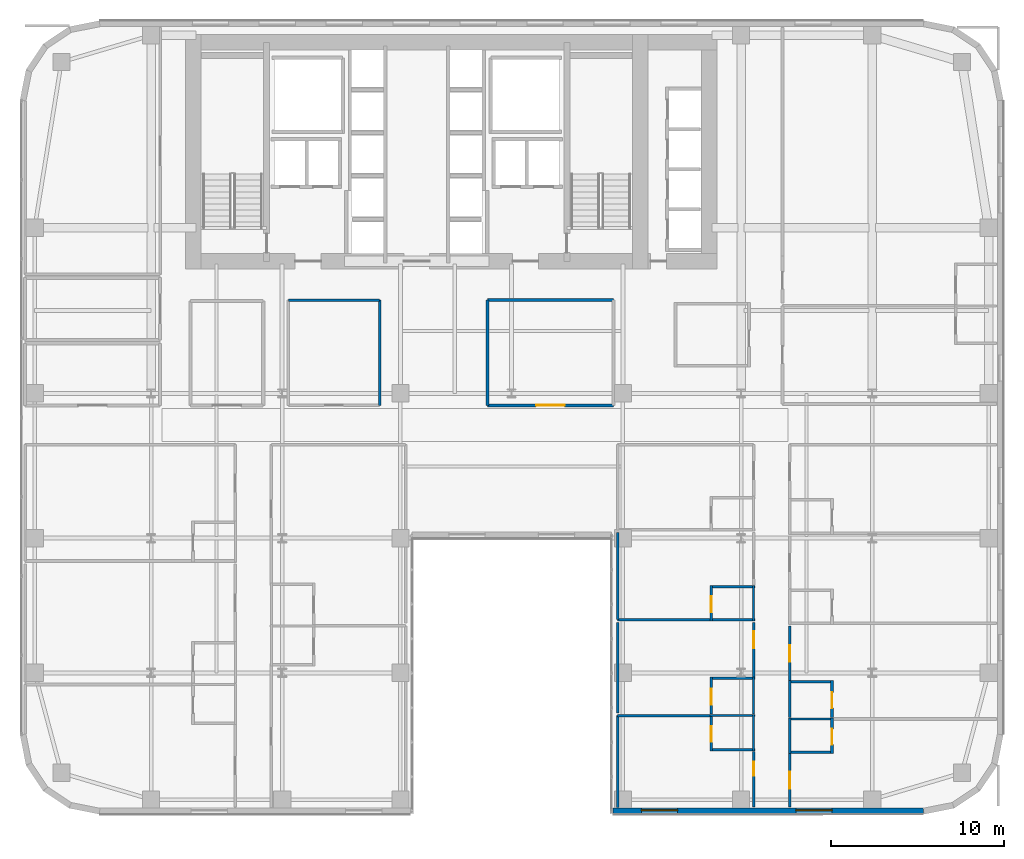
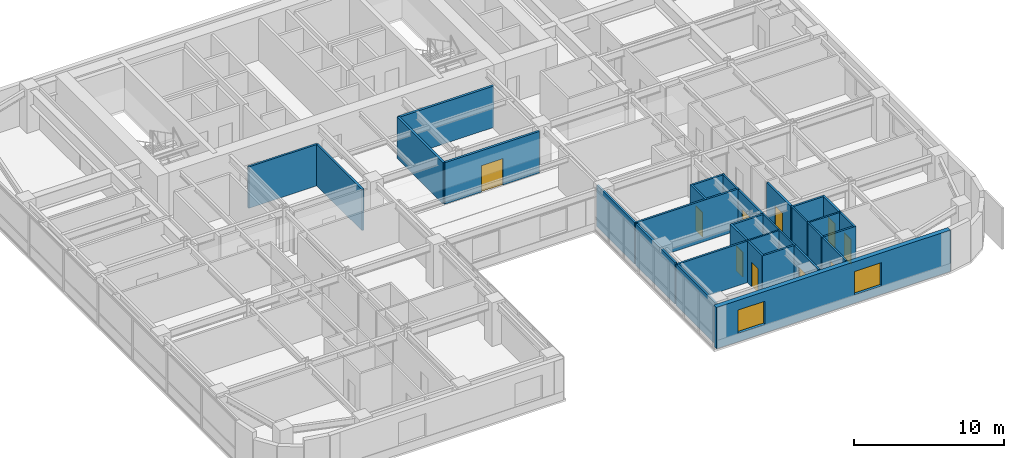
# One storey, part 28 of 37: 32 walls, 10 doors, 2 windows, 12 openings.
"""IFC4 building model written with IfcOpenShell, lengths in metres."""

from ifc_helpers import new_model, si_unit, direction, frame, frame_2d, origin, place, context, subcontext, project, spatial, rectangle, extrude, source, transform, mapped, material, layer, layer_set, type_object, type_shapes, element, fill, save


model = new_model("IFC4")

# Units and contexts
model_context = context("Model", 3, precision=1e-05, world=origin(), true_north=direction((0.0, 1.0)))
body_context = subcontext(model_context, "Body", "Model", "MODEL_VIEW")
ifc_project = project(units=[si_unit("LENGTHUNIT", "METRE"), si_unit("AREAUNIT", "SQUARE_METRE"), si_unit("VOLUMEUNIT", "CUBIC_METRE"), si_unit("PLANEANGLEUNIT", "RADIAN"), si_unit("MASSUNIT", "GRAM", prefix="KILO")], contexts=[model_context])

# Site, building, storey
site_placement = place(None, origin())
site = spatial("IfcSite", under=ifc_project, at=site_placement, CompositionType="ELEMENT")
building_placement = place(site_placement, origin())
building = spatial("IfcBuilding", under=site, at=building_placement, Name="Tolvann Quenvar Hotel", CompositionType="ELEMENT")
storey_placement = place(building_placement, frame((0.0, 0.0, 53.300048828125)))
storey = spatial("IfcBuildingStorey", under=building, at=storey_placement, Name="L12", CompositionType="ELEMENT", Elevation=53.300048828125)

# Wall, openings, windows
ifc_material_1 = material(Name="Kiln-fired red and buff architectural clay brickwork and terracotta masonry", Category="masonry")
ifc_layer_1 = layer(ifc_material_1, 0.35009765625)
ifc_layer_set_1 = layer_set([ifc_layer_1], Name="Kiln-fired red and buff architectural clay brickwork and terracotta masonry")
wall_type_1 = type_object("IfcWallType", Name="WALL_EXT_BRICK_350", PredefinedType="SOLIDWALL", material=ifc_layer_set_1)
wall_1_placement = place(storey_placement, frame((34.375, 0.175048828125, 0.0), z_axis=(0.0, 0.0, 1.0), x_axis=(1.0, 0.0, 0.0)))
wall_1 = element("IfcWall", 1, at=wall_1_placement, inside=storey, type_object=wall_type_1, Name="Exterior Chicago Brick Wall L12-E08", PredefinedType="SOLIDWALL", context=body_context, shape_type="SweptSolid", body=[
    extrude(rectangle(XDim=18.0078125, YDim=0.35009765625, at=frame_2d((9.00390625, 0.0))), origin(), (0.0, 0.0, 1.0), 3.369873046875),
])
opening_1_placement = place(wall_1_placement, frame((1.65087890625, 0.0, 0.679931640625)))
opening_1 = element("IfcOpeningElement", 2, at=opening_1_placement, cuts=wall_1, Name="Opening W-02", PredefinedType="OPENING", context=body_context, shape_type="SweptSolid", body=[
    extrude(rectangle(XDim=2.10009765625, YDim=1.89990234375, at=frame_2d((1.050048828125, 0.949951171875))), frame((0.0, 0.18505859375, 0.0), z_axis=(0.0, -1.0, 0.0), x_axis=(1.0, 0.0, 0.0)), (0.0, 0.0, 1.0), 0.3701171875),
])
opening_2_placement = place(wall_1_placement, frame((10.60498046875, 0.0, 0.679931640625)))
opening_2 = element("IfcOpeningElement", 3, at=opening_2_placement, cuts=wall_1, Name="Opening W-02", PredefinedType="OPENING", context=body_context, shape_type="SweptSolid", body=[
    extrude(rectangle(XDim=2.10009765625, YDim=1.89990234375, at=frame_2d((1.050048828125, 0.949951171875))), frame((0.0, 0.18505859375, 0.0), z_axis=(0.0, -1.0, 0.0), x_axis=(1.0, 0.0, 0.0)), (0.0, 0.0, 1.0), 0.3701171875),
])
ifc_material_2 = material(Name="Thermally broken bronze-anodised aluminium frame with double low-E glazing", Category="aluminium")
window_type = type_object("IfcWindowType", Name="WIN_CHI_2100x2050", PartitioningType="TRIPLE_PANEL_HORIZONTAL", PredefinedType="WINDOW", material=ifc_material_2)
shared_shape_1 = source(origin(), body_context, "Body", "SweptSolid", [
    extrude(rectangle(XDim=2.10009765625, YDim=1.89990234375, at=frame_2d((1.050048828125, 0.949951171875))), frame((0.0, 0.090087890625, 0.0), z_axis=(0.0, -1.0, 0.0), x_axis=(1.0, 0.0, 0.0)), (0.0, 0.0, 1.0), 0.06005859375),
])
type_shapes(window_type, [shared_shape_1])
window_1_placement = place(opening_1_placement, origin())
window_1 = element("IfcWindow", 4, at=window_1_placement, inside=storey, type_object=window_type, Name="Chicago Window W-02 (EW-L12-E08-W01)", OverallHeight=1.89990234375, OverallWidth=2.10009765625, PartitioningType="TRIPLE_PANEL_HORIZONTAL", PredefinedType="WINDOW", context=body_context, shape_type="MappedRepresentation", body=[
    mapped(shared_shape_1, transform((0.0, 0.0, 0.0), x_axis=(1.0, 0.0, 0.0), y_axis=(0.0, 1.0, 0.0), z_axis=(0.0, 0.0, 1.0), scale=1.0)),
])
fill(opening_1, window_1)
window_2_placement = place(opening_2_placement, origin())
window_2 = element("IfcWindow", 5, at=window_2_placement, inside=storey, type_object=window_type, Name="Chicago Window W-02 (EW-L12-E08-W02)", OverallHeight=1.89990234375, OverallWidth=2.10009765625, PartitioningType="TRIPLE_PANEL_HORIZONTAL", PredefinedType="WINDOW", context=body_context, shape_type="MappedRepresentation", body=[
    mapped(shared_shape_1, transform((0.0, 0.0, 0.0), x_axis=(1.0, 0.0, 0.0), y_axis=(0.0, 1.0, 0.0), z_axis=(0.0, 0.0, 1.0), scale=1.0)),
])
fill(opening_2, window_2)

# Wall, opening, door
ifc_material_3 = material(Name="Acoustic twin-stud fire-rated gypsum plasterboard partition")
ifc_layer_2 = layer(ifc_material_3, 0.179931640625)
ifc_layer_set_2 = layer_set([ifc_layer_2], Name="Acoustic twin-stud fire-rated gypsum plasterboard partition")
wall_type_2 = type_object("IfcWallType", Name="WALL_PART_ACOUSTIC_180", PredefinedType="PARTITIONING", material=ifc_layer_set_2)
wall_2_placement = place(storey_placement, frame((27.10009765625, 23.699951171875, 0.0), z_axis=(0.0, 0.0, 1.0), x_axis=(1.0, 0.0, 0.0)))
wall_2 = element("IfcWall", 6, at=wall_2_placement, inside=storey, type_object=wall_type_2, Name="Interior Partition PT-SPC-L12-MSP-C-S", PredefinedType="PARTITIONING", context=body_context, shape_type="SweptSolid", body=[
    extrude(rectangle(XDim=7.2998046875, YDim=0.179931640625, at=frame_2d((3.64990234375, 0.0))), origin(), (0.0, 0.0, 1.0), 3.369873046875),
])
opening_3_placement = place(wall_2_placement, frame((2.824951171875, 0.0, 0.0)))
opening_3 = element("IfcOpeningElement", 7, at=opening_3_placement, cuts=wall_2, Name="Opening AD-01", PredefinedType="OPENING", context=body_context, shape_type="SweptSolid", body=[
    extrude(rectangle(XDim=1.64990234375, YDim=2.14990234375, at=frame_2d((0.824951171875, 1.074951171875))), frame((0.0, 0.10009765625, 0.0), z_axis=(0.0, -1.0, 0.0), x_axis=(1.0, 0.0, 0.0)), (0.0, 0.0, 1.0), 0.199951171875),
])
ifc_material_4 = material(Name="Solid-core American oak acoustic fire door leaf in steel frame", Category="steel")
door_type_1 = type_object("IfcDoorType", Name="DOOR_SALON_1650", OperationType="NOTDEFINED", PredefinedType="DOOR", material=ifc_material_4)
shared_shape_2 = source(origin(), body_context, "Body", "SweptSolid", [
    extrude(rectangle(XDim=1.64990234375, YDim=2.14990234375, at=frame_2d((0.824951171875, 1.074951171875))), frame((0.0, 0.02490234375, 0.0), z_axis=(0.0, -1.0, 0.0), x_axis=(1.0, 0.0, 0.0)), (0.0, 0.0, 1.0), 0.050048828125),
])
type_shapes(door_type_1, [shared_shape_2])
door_1_placement = place(opening_3_placement, origin())
door_1 = element("IfcDoor", 8, at=door_1_placement, inside=storey, type_object=door_type_1, Name="Interior Door DOOR-SPC-L12-MSP-C", OperationType="DOUBLE_DOOR_SINGLE_SWING", OverallHeight=2.14990234375, OverallWidth=1.64990234375, PredefinedType="DOOR", context=body_context, shape_type="MappedRepresentation", body=[
    mapped(shared_shape_2, transform((0.0, 0.0, 0.0), x_axis=(1.0, 0.0, 0.0), y_axis=(0.0, 1.0, 0.0), z_axis=(0.0, 0.0, 1.0), scale=1.0)),
])
fill(opening_3, door_1)

# Walls
wall_3_placement = place(storey_placement, frame((27.10009765625, 29.800048828125, 0.0), z_axis=(0.0, 0.0, 1.0), x_axis=(1.0, 0.0, 0.0)))
element("IfcWall", 9, at=wall_3_placement, inside=storey, type_object=wall_type_2, Name="Interior Partition PT-SPC-L12-MSP-C-N", PredefinedType="PARTITIONING", context=body_context, shape_type="SweptSolid", body=[
    extrude(rectangle(XDim=7.2998046875, YDim=0.179931640625, at=frame_2d((3.64990234375, 0.0))), origin(), (0.0, 0.0, 1.0), 3.369873046875),
])
wall_4_placement = place(storey_placement, frame((27.10009765625, 23.699951171875, 0.0), z_axis=(0.0, 0.0, 1.0), x_axis=(0.0, 1.0, 0.0)))
element("IfcWall", 10, at=wall_4_placement, inside=storey, type_object=wall_type_2, Name="Interior Partition PT-SPC-L12-MSP-C-W", PredefinedType="PARTITIONING", context=body_context, shape_type="SweptSolid", body=[
    extrude(rectangle(XDim=6.10009765625, YDim=0.179931640625, at=frame_2d((3.050048828125, 0.0))), origin(), (0.0, 0.0, 1.0), 3.369873046875),
])
ifc_material_5 = material(Name="Moisture-resistant acoustic plumbing wall assembly")
ifc_layer_3 = layer(ifc_material_5, 0.1201171875)
ifc_layer_set_3 = layer_set([ifc_layer_3], Name="Moisture-resistant acoustic plumbing wall assembly")
wall_type_3 = type_object("IfcWallType", Name="WALL_PART_BATH_120", PredefinedType="PLUMBINGWALL", material=ifc_layer_set_3)
wall_5_placement = place(storey_placement, frame((40.010009765625, 5.719970703125, 0.0), z_axis=(0.0, 0.0, 1.0), x_axis=(1.0, 0.0, 0.0)))
element("IfcWall", 11, at=wall_5_placement, inside=storey, type_object=wall_type_3, Name="Non-Rated Plumbing Partition PT-SPC-L12-ENS-EI01-N", PredefinedType="PLUMBINGWALL", context=body_context, shape_type="SweptSolid", body=[
    extrude(rectangle(XDim=2.590087890625, YDim=0.1201171875, at=frame_2d((1.294921875, 0.0))), origin(), (0.0, 0.0, 1.0), 3.369873046875),
])
wall_6_placement = place(storey_placement, frame((42.530029296875, 3.658935546875, 0.0), z_axis=(0.0, 0.0, 1.0), x_axis=(0.0, 1.0, 0.0)))
element("IfcWall", 12, at=wall_6_placement, inside=storey, type_object=wall_type_3, Name="Non-Rated Plumbing Partition PT-SPC-L12-ENS-EI01-E", PredefinedType="PLUMBINGWALL", context=body_context, shape_type="SweptSolid", body=[
    extrude(rectangle(XDim=2.131103515625, YDim=0.1201171875, at=frame_2d((1.0654296875, 0.0))), origin(), (0.0, 0.0, 1.0), 3.369873046875),
])
wall_7_placement = place(storey_placement, frame((42.530029296875, 5.81005859375, 0.0), z_axis=(0.0, 0.0, 1.0), x_axis=(0.0, 1.0, 0.0)))
element("IfcWall", 13, at=wall_7_placement, inside=storey, type_object=wall_type_3, Name="Non-Rated Plumbing Partition PT-SPC-L12-ENS-EI02-E", PredefinedType="PLUMBINGWALL", context=body_context, shape_type="SweptSolid", body=[
    extrude(rectangle(XDim=2.130859375, YDim=0.1201171875, at=frame_2d((1.0654296875, 0.0))), origin(), (0.0, 0.0, 1.0), 3.369873046875),
])
wall_8_placement = place(storey_placement, frame((42.530029296875, 11.2099609375, 0.0), z_axis=(0.0, 0.0, 1.0), x_axis=(0.0, 1.0, 0.0)))
element("IfcWall", 14, at=wall_8_placement, inside=storey, type_object=wall_type_3, Name="Non-Rated Plumbing Partition PT-SPC-L12-ENS-EI03-E", PredefinedType="PLUMBINGWALL", context=body_context, shape_type="SweptSolid", body=[
    extrude(rectangle(XDim=2.054931640625, YDim=0.1201171875, at=frame_2d((1.02734375, 0.0))), origin(), (0.0, 0.0, 1.0), 3.369873046875),
])
wall_9_placement = place(storey_placement, frame((44.550048828125, 5.52001953125, 0.0), z_axis=(0.0, 0.0, 1.0), x_axis=(1.0, 0.0, 0.0)))
element("IfcWall", 15, at=wall_9_placement, inside=storey, type_object=wall_type_3, Name="Non-Rated Plumbing Partition PT-SPC-L12-ENS-EO01-N", PredefinedType="PLUMBINGWALL", context=body_context, shape_type="SweptSolid", body=[
    extrude(rectangle(XDim=2.58984375, YDim=0.1201171875, at=frame_2d((1.294921875, 0.0))), origin(), (0.0, 0.0, 1.0), 3.369873046875),
])
wall_10_placement = place(storey_placement, frame((44.6201171875, 3.534912109375, 0.0), z_axis=(0.0, 0.0, 1.0), x_axis=(0.0, 1.0, 0.0)))
element("IfcWall", 16, at=wall_10_placement, inside=storey, type_object=wall_type_3, Name="Non-Rated Plumbing Partition PT-SPC-L12-ENS-EO01-W", PredefinedType="PLUMBINGWALL", context=body_context, shape_type="SweptSolid", body=[
    extrude(rectangle(XDim=2.05517578125, YDim=0.1201171875, at=frame_2d((1.027587890625, 0.0))), origin(), (0.0, 0.0, 1.0), 3.369873046875),
])
wall_11_placement = place(storey_placement, frame((44.6201171875, 5.610107421875, 0.0), z_axis=(0.0, 0.0, 1.0), x_axis=(0.0, 1.0, 0.0)))
element("IfcWall", 17, at=wall_11_placement, inside=storey, type_object=wall_type_3, Name="Non-Rated Plumbing Partition PT-SPC-L12-ENS-EO02-W", PredefinedType="PLUMBINGWALL", context=body_context, shape_type="SweptSolid", body=[
    extrude(rectangle(XDim=2.130859375, YDim=0.1201171875, at=frame_2d((1.0654296875, 0.0))), origin(), (0.0, 0.0, 1.0), 3.369873046875),
])

# Wall, opening, door
ifc_layer_4 = layer(ifc_material_3, 0.14990234375)
ifc_layer_set_4 = layer_set([ifc_layer_4], Name="Acoustic twin-stud fire-rated gypsum plasterboard partition")
wall_type_4 = type_object("IfcWallType", Name="WALL_PART_SUITE_150", PredefinedType="PARTITIONING", material=ifc_layer_set_4)
wall_12_placement = place(storey_placement, frame((40.080078125, 3.658935546875, 0.0), z_axis=(0.0, 0.0, 1.0), x_axis=(0.0, 1.0, 0.0)))
wall_12 = element("IfcWall", 18, at=wall_12_placement, inside=storey, type_object=wall_type_4, Name="Interior Partition PT-SPC-L12-ENS-EI01-ENT", PredefinedType="PARTITIONING", context=body_context, shape_type="SweptSolid", body=[
    extrude(rectangle(XDim=2.131103515625, YDim=0.14990234375, at=frame_2d((1.0654296875, 0.0))), origin(), (0.0, 0.0, 1.0), 3.369873046875),
])
opening_4_placement = place(wall_12_placement, frame((0.535400390625, 0.0, 0.0)))
opening_4 = element("IfcOpeningElement", 19, at=opening_4_placement, cuts=wall_12, Name="Opening WD-01", PredefinedType="OPENING", context=body_context, shape_type="SweptSolid", body=[
    extrude(rectangle(XDim=0.919921875, YDim=2.010009765625, at=frame_2d((0.4599609375, 1.0048828125))), frame((0.0, 0.0849609375, 0.0), z_axis=(0.0, -1.0, 0.0), x_axis=(1.0, 0.0, 0.0)), (0.0, 0.0, 1.0), 0.169921875),
])
door_type_2 = type_object("IfcDoorType", Name="DOOR_WC_920", OperationType="NOTDEFINED", PredefinedType="DOOR", material=ifc_material_4)
shared_shape_3 = source(origin(), body_context, "Body", "SweptSolid", [
    extrude(rectangle(XDim=0.919921875, YDim=2.010009765625, at=frame_2d((0.4599609375, 1.0048828125))), frame((0.0, 0.02490234375, 0.0), z_axis=(0.0, -1.0, 0.0), x_axis=(1.0, 0.0, 0.0)), (0.0, 0.0, 1.0), 0.050048828125),
])
type_shapes(door_type_2, [shared_shape_3])
door_2_placement = place(opening_4_placement, origin())
door_2 = element("IfcDoor", 20, at=door_2_placement, inside=storey, type_object=door_type_2, Name="Interior Door DOOR-SPC-L12-ENS-EI01", OperationType="SINGLE_SWING_LEFT", OverallHeight=2.010009765625, OverallWidth=0.919921875, PredefinedType="DOOR", context=body_context, shape_type="MappedRepresentation", body=[
    mapped(shared_shape_3, transform((0.0, 0.0, 0.0), x_axis=(1.0, 0.0, 0.0), y_axis=(0.0, 1.0, 0.0), z_axis=(0.0, 0.0, 1.0), scale=1.0)),
])
fill(opening_4, door_2)

# Wall
wall_13_placement = place(storey_placement, frame((40.010009765625, 3.72900390625, 0.0), z_axis=(0.0, 0.0, 1.0), x_axis=(1.0, 0.0, 0.0)))
element("IfcWall", 21, at=wall_13_placement, inside=storey, type_object=wall_type_4, Name="Interior Partition PT-SPC-L12-ENS-EI01-S", PredefinedType="PARTITIONING", context=body_context, shape_type="SweptSolid", body=[
    extrude(rectangle(XDim=2.590087890625, YDim=0.14990234375, at=frame_2d((1.294921875, 0.0))), origin(), (0.0, 0.0, 1.0), 3.369873046875),
])

# Wall, opening, door
wall_14_placement = place(storey_placement, frame((40.080078125, 5.81005859375, 0.0), z_axis=(0.0, 0.0, 1.0), x_axis=(0.0, 1.0, 0.0)))
wall_14 = element("IfcWall", 22, at=wall_14_placement, inside=storey, type_object=wall_type_4, Name="Interior Partition PT-SPC-L12-ENS-EI02-ENT", PredefinedType="PARTITIONING", context=body_context, shape_type="SweptSolid", body=[
    extrude(rectangle(XDim=2.130859375, YDim=0.14990234375, at=frame_2d((1.0654296875, 0.0))), origin(), (0.0, 0.0, 1.0), 3.369873046875),
])
opening_5_placement = place(wall_14_placement, frame((0.535400390625, 0.0, 0.0)))
opening_5 = element("IfcOpeningElement", 23, at=opening_5_placement, cuts=wall_14, Name="Opening WD-01", PredefinedType="OPENING", context=body_context, shape_type="SweptSolid", body=[
    extrude(rectangle(XDim=0.919921875, YDim=2.010009765625, at=frame_2d((0.4599609375, 1.0048828125))), frame((0.0, 0.0849609375, 0.0), z_axis=(0.0, -1.0, 0.0), x_axis=(1.0, 0.0, 0.0)), (0.0, 0.0, 1.0), 0.169921875),
])
door_3_placement = place(opening_5_placement, origin())
door_3 = element("IfcDoor", 24, at=door_3_placement, inside=storey, type_object=door_type_2, Name="Interior Door DOOR-SPC-L12-ENS-EI02", OperationType="SINGLE_SWING_RIGHT", OverallHeight=2.010009765625, OverallWidth=0.919921875, PredefinedType="DOOR", context=body_context, shape_type="MappedRepresentation", body=[
    mapped(shared_shape_3, transform((0.0, 0.0, 0.0), x_axis=(1.0, 0.0, 0.0), y_axis=(0.0, 1.0, 0.0), z_axis=(0.0, 0.0, 1.0), scale=1.0)),
])
fill(opening_5, door_3)

# Wall
wall_15_placement = place(storey_placement, frame((40.010009765625, 7.87109375, 0.0), z_axis=(0.0, 0.0, 1.0), x_axis=(1.0, 0.0, 0.0)))
element("IfcWall", 25, at=wall_15_placement, inside=storey, type_object=wall_type_4, Name="Interior Partition PT-SPC-L12-ENS-EI02-N", PredefinedType="PARTITIONING", context=body_context, shape_type="SweptSolid", body=[
    extrude(rectangle(XDim=2.590087890625, YDim=0.14990234375, at=frame_2d((1.294921875, 0.0))), origin(), (0.0, 0.0, 1.0), 3.369873046875),
])

# Wall, opening, door
wall_16_placement = place(storey_placement, frame((40.080078125, 11.2099609375, 0.0), z_axis=(0.0, 0.0, 1.0), x_axis=(0.0, 1.0, 0.0)))
wall_16 = element("IfcWall", 26, at=wall_16_placement, inside=storey, type_object=wall_type_4, Name="Interior Partition PT-SPC-L12-ENS-EI03-ENT", PredefinedType="PARTITIONING", context=body_context, shape_type="SweptSolid", body=[
    extrude(rectangle(XDim=2.054931640625, YDim=0.14990234375, at=frame_2d((1.02734375, 0.0))), origin(), (0.0, 0.0, 1.0), 3.369873046875),
])
opening_6_placement = place(wall_16_placement, frame((0.49755859375, 0.0, 0.0)))
opening_6 = element("IfcOpeningElement", 27, at=opening_6_placement, cuts=wall_16, Name="Opening WD-01", PredefinedType="OPENING", context=body_context, shape_type="SweptSolid", body=[
    extrude(rectangle(XDim=0.919921875, YDim=2.010009765625, at=frame_2d((0.4599609375, 1.0048828125))), frame((0.0, 0.0849609375, 0.0), z_axis=(0.0, -1.0, 0.0), x_axis=(1.0, 0.0, 0.0)), (0.0, 0.0, 1.0), 0.169921875),
])
door_4_placement = place(opening_6_placement, origin())
door_4 = element("IfcDoor", 28, at=door_4_placement, inside=storey, type_object=door_type_2, Name="Interior Door DOOR-SPC-L12-ENS-EI03", OperationType="SINGLE_SWING_LEFT", OverallHeight=2.010009765625, OverallWidth=0.919921875, PredefinedType="DOOR", context=body_context, shape_type="MappedRepresentation", body=[
    mapped(shared_shape_3, transform((0.0, 0.0, 0.0), x_axis=(1.0, 0.0, 0.0), y_axis=(0.0, 1.0, 0.0), z_axis=(0.0, 0.0, 1.0), scale=1.0)),
])
fill(opening_6, door_4)

# Walls
wall_17_placement = place(storey_placement, frame((34.64990234375, 11.280029296875, 0.0), z_axis=(0.0, 0.0, 1.0), x_axis=(1.0, 0.0, 0.0)))
element("IfcWall", 29, at=wall_17_placement, inside=storey, type_object=wall_type_4, Name="Interior Partition PT-SPC-L12-ENS-EI03-S", PredefinedType="PARTITIONING", context=body_context, shape_type="SweptSolid", body=[
    extrude(rectangle(XDim=7.9501953125, YDim=0.14990234375, at=frame_2d((3.97509765625, 0.0))), origin(), (0.0, 0.0, 1.0), 3.369873046875),
])
wall_18_placement = place(storey_placement, frame((40.010009765625, 13.195068359375, 0.0), z_axis=(0.0, 0.0, 1.0), x_axis=(1.0, 0.0, 0.0)))
element("IfcWall", 30, at=wall_18_placement, inside=storey, type_object=wall_type_4, Name="Interior Partition PT-SPC-L12-ENS-EI03-N", PredefinedType="PARTITIONING", context=body_context, shape_type="SweptSolid", body=[
    extrude(rectangle(XDim=2.590087890625, YDim=0.14990234375, at=frame_2d((1.294921875, 0.0))), origin(), (0.0, 0.0, 1.0), 3.369873046875),
])

# Wall, opening, door
wall_19_placement = place(storey_placement, frame((47.070068359375, 3.534912109375, 0.0), z_axis=(0.0, 0.0, 1.0), x_axis=(0.0, 1.0, 0.0)))
wall_19 = element("IfcWall", 31, at=wall_19_placement, inside=storey, type_object=wall_type_4, Name="Interior Partition PT-SPC-L12-ENS-EO01-ENT", PredefinedType="PARTITIONING", context=body_context, shape_type="SweptSolid", body=[
    extrude(rectangle(XDim=2.05517578125, YDim=0.14990234375, at=frame_2d((1.027587890625, 0.0))), origin(), (0.0, 0.0, 1.0), 3.369873046875),
])
opening_7_placement = place(wall_19_placement, frame((0.49755859375, 0.0, 0.0)))
opening_7 = element("IfcOpeningElement", 32, at=opening_7_placement, cuts=wall_19, Name="Opening WD-01", PredefinedType="OPENING", context=body_context, shape_type="SweptSolid", body=[
    extrude(rectangle(XDim=0.919921875, YDim=2.010009765625, at=frame_2d((0.4599609375, 1.0048828125))), frame((0.0, 0.0849609375, 0.0), z_axis=(0.0, -1.0, 0.0), x_axis=(1.0, 0.0, 0.0)), (0.0, 0.0, 1.0), 0.169921875),
])
door_5_placement = place(opening_7_placement, origin())
door_5 = element("IfcDoor", 33, at=door_5_placement, inside=storey, type_object=door_type_2, Name="Interior Door DOOR-SPC-L12-ENS-EO01", OperationType="SINGLE_SWING_LEFT", OverallHeight=2.010009765625, OverallWidth=0.919921875, PredefinedType="DOOR", context=body_context, shape_type="MappedRepresentation", body=[
    mapped(shared_shape_3, transform((0.0, 0.0, 0.0), x_axis=(1.0, 0.0, 0.0), y_axis=(0.0, 1.0, 0.0), z_axis=(0.0, 0.0, 1.0), scale=1.0)),
])
fill(opening_7, door_5)

# Wall
wall_20_placement = place(storey_placement, frame((44.550048828125, 3.60498046875, 0.0), z_axis=(0.0, 0.0, 1.0), x_axis=(1.0, 0.0, 0.0)))
element("IfcWall", 34, at=wall_20_placement, inside=storey, type_object=wall_type_4, Name="Interior Partition PT-SPC-L12-ENS-EO01-S", PredefinedType="PARTITIONING", context=body_context, shape_type="SweptSolid", body=[
    extrude(rectangle(XDim=2.58984375, YDim=0.14990234375, at=frame_2d((1.294921875, 0.0))), origin(), (0.0, 0.0, 1.0), 3.369873046875),
])

# Wall, opening, door
wall_21_placement = place(storey_placement, frame((47.070068359375, 5.610107421875, 0.0), z_axis=(0.0, 0.0, 1.0), x_axis=(0.0, 1.0, 0.0)))
wall_21 = element("IfcWall", 35, at=wall_21_placement, inside=storey, type_object=wall_type_4, Name="Interior Partition PT-SPC-L12-ENS-EO02-ENT", PredefinedType="PARTITIONING", context=body_context, shape_type="SweptSolid", body=[
    extrude(rectangle(XDim=2.130859375, YDim=0.14990234375, at=frame_2d((1.0654296875, 0.0))), origin(), (0.0, 0.0, 1.0), 3.369873046875),
])
opening_8_placement = place(wall_21_placement, frame((0.535400390625, 0.0, 0.0)))
opening_8 = element("IfcOpeningElement", 36, at=opening_8_placement, cuts=wall_21, Name="Opening WD-01", PredefinedType="OPENING", context=body_context, shape_type="SweptSolid", body=[
    extrude(rectangle(XDim=0.919921875, YDim=2.010009765625, at=frame_2d((0.4599609375, 1.0048828125))), frame((0.0, 0.0849609375, 0.0), z_axis=(0.0, -1.0, 0.0), x_axis=(1.0, 0.0, 0.0)), (0.0, 0.0, 1.0), 0.169921875),
])
door_6_placement = place(opening_8_placement, origin())
door_6 = element("IfcDoor", 37, at=door_6_placement, inside=storey, type_object=door_type_2, Name="Interior Door DOOR-SPC-L12-ENS-EO02", OperationType="SINGLE_SWING_RIGHT", OverallHeight=2.010009765625, OverallWidth=0.919921875, PredefinedType="DOOR", context=body_context, shape_type="MappedRepresentation", body=[
    mapped(shared_shape_3, transform((0.0, 0.0, 0.0), x_axis=(1.0, 0.0, 0.0), y_axis=(0.0, 1.0, 0.0), z_axis=(0.0, 0.0, 1.0), scale=1.0)),
])
fill(opening_8, door_6)

# Wall
wall_22_placement = place(storey_placement, frame((44.550048828125, 7.6708984375, 0.0), z_axis=(0.0, 0.0, 1.0), x_axis=(1.0, 0.0, 0.0)))
element("IfcWall", 38, at=wall_22_placement, inside=storey, type_object=wall_type_4, Name="Interior Partition PT-SPC-L12-ENS-EO02-N", PredefinedType="PARTITIONING", context=body_context, shape_type="SweptSolid", body=[
    extrude(rectangle(XDim=2.58984375, YDim=0.14990234375, at=frame_2d((1.294921875, 0.0))), origin(), (0.0, 0.0, 1.0), 3.369873046875),
])

# Wall, opening, door
wall_23_placement = place(storey_placement, frame((42.530029296875, 0.405029296875, 0.0), z_axis=(0.0, 0.0, 1.0), x_axis=(0.0, 1.0, 0.0)))
wall_23 = element("IfcWall", 39, at=wall_23_placement, inside=storey, type_object=wall_type_4, Name="Interior Partition PT-SPC-L12-RM-EI01-ENT", PredefinedType="PARTITIONING", context=body_context, shape_type="SweptSolid", body=[
    extrude(rectangle(XDim=3.243896484375, YDim=0.14990234375, at=frame_2d((1.6220703125, 0.0))), origin(), (0.0, 0.0, 1.0), 3.369873046875),
])
opening_9_placement = place(wall_23_placement, frame((1.819580078125, 0.0, 0.0)))
opening_9 = element("IfcOpeningElement", 40, at=opening_9_placement, cuts=wall_23, Name="Opening HD-02", PredefinedType="OPENING", context=body_context, shape_type="SweptSolid", body=[
    extrude(rectangle(XDim=0.820068359375, YDim=2.010009765625, at=frame_2d((0.41015625, 1.0048828125))), frame((0.0, 0.0849609375, 0.0), z_axis=(0.0, -1.0, 0.0), x_axis=(1.0, 0.0, 0.0)), (0.0, 0.0, 1.0), 0.169921875),
])
ifc_material_6 = material(Name="Pressed galvanised steel fire-rated door set", Category="steel")
door_type_3 = type_object("IfcDoorType", Name="DOOR_STORE_820", OperationType="NOTDEFINED", PredefinedType="DOOR", material=ifc_material_6)
shared_shape_4 = source(origin(), body_context, "Body", "SweptSolid", [
    extrude(rectangle(XDim=0.820068359375, YDim=2.010009765625, at=frame_2d((0.41015625, 1.0048828125))), frame((0.0, 0.02490234375, 0.0), z_axis=(0.0, -1.0, 0.0), x_axis=(1.0, 0.0, 0.0)), (0.0, 0.0, 1.0), 0.050048828125),
])
type_shapes(door_type_3, [shared_shape_4])
door_7_placement = place(opening_9_placement, origin())
door_7 = element("IfcDoor", 41, at=door_7_placement, inside=storey, type_object=door_type_3, Name="Interior Door DOOR-SPC-L12-RM-EI01", OperationType="SINGLE_SWING_RIGHT", OverallHeight=2.010009765625, OverallWidth=0.820068359375, PredefinedType="DOOR", context=body_context, shape_type="MappedRepresentation", body=[
    mapped(shared_shape_4, transform((0.0, 0.0, 0.0), x_axis=(1.0, 0.0, 0.0), y_axis=(0.0, 1.0, 0.0), z_axis=(0.0, 0.0, 1.0), scale=1.0)),
])
fill(opening_9, door_7)

# Walls
wall_24_placement = place(storey_placement, frame((34.64990234375, 5.719970703125, 0.0), z_axis=(0.0, 0.0, 1.0), x_axis=(1.0, 0.0, 0.0)))
element("IfcWall", 42, at=wall_24_placement, inside=storey, type_object=wall_type_4, Name="Interior Partition PT-SPC-L12-RM-EI01-E5", PredefinedType="PARTITIONING", context=body_context, shape_type="SweptSolid", body=[
    extrude(rectangle(XDim=5.41015625, YDim=0.14990234375, at=frame_2d((2.705078125, 0.0))), origin(), (0.0, 0.0, 1.0), 3.369873046875),
])
wall_25_placement = place(storey_placement, frame((34.64990234375, 0.405029296875, 0.0), z_axis=(0.0, 0.0, 1.0), x_axis=(0.0, 1.0, 0.0)))
element("IfcWall", 43, at=wall_25_placement, inside=storey, type_object=wall_type_4, Name="Interior Partition PT-SPC-L12-RM-EI01-E6", PredefinedType="PARTITIONING", context=body_context, shape_type="SweptSolid", body=[
    extrude(rectangle(XDim=5.31494140625, YDim=0.14990234375, at=frame_2d((2.657470703125, 0.0))), origin(), (0.0, 0.0, 1.0), 3.369873046875),
])

# Wall, opening, door
wall_26_placement = place(storey_placement, frame((42.530029296875, 7.950927734375, 0.0), z_axis=(0.0, 0.0, 1.0), x_axis=(0.0, 1.0, 0.0)))
wall_26 = element("IfcWall", 44, at=wall_26_placement, inside=storey, type_object=wall_type_4, Name="Interior Partition PT-SPC-L12-RM-EI02-ENT", PredefinedType="PARTITIONING", context=body_context, shape_type="SweptSolid", body=[
    extrude(rectangle(XDim=3.169189453125, YDim=0.14990234375, at=frame_2d((1.58447265625, 0.0))), origin(), (0.0, 0.0, 1.0), 3.369873046875),
])
opening_10_placement = place(wall_26_placement, frame((1.674560546875, 0.0, 0.0)))
opening_10 = element("IfcOpeningElement", 45, at=opening_10_placement, cuts=wall_26, Name="Opening SD-01", PredefinedType="OPENING", context=body_context, shape_type="SweptSolid", body=[
    extrude(rectangle(XDim=0.97998046875, YDim=2.1201171875, at=frame_2d((0.489990234375, 1.06005859375))), frame((0.0, 0.0849609375, 0.0), z_axis=(0.0, -1.0, 0.0), x_axis=(1.0, 0.0, 0.0)), (0.0, 0.0, 1.0), 0.169921875),
])
door_type_4 = type_object("IfcDoorType", Name="DOOR_SUITE_980", OperationType="NOTDEFINED", PredefinedType="DOOR", material=ifc_material_4)
shared_shape_5 = source(origin(), body_context, "Body", "SweptSolid", [
    extrude(rectangle(XDim=0.97998046875, YDim=2.1201171875, at=frame_2d((0.489990234375, 1.06005859375))), frame((0.0, 0.02490234375, 0.0), z_axis=(0.0, -1.0, 0.0), x_axis=(1.0, 0.0, 0.0)), (0.0, 0.0, 1.0), 0.050048828125),
])
type_shapes(door_type_4, [shared_shape_5])
door_8_placement = place(opening_10_placement, origin())
door_8 = element("IfcDoor", 46, at=door_8_placement, inside=storey, type_object=door_type_4, Name="Interior Door DOOR-SPC-L12-RM-EI02", OperationType="SINGLE_SWING_LEFT", OverallHeight=2.1201171875, OverallWidth=0.97998046875, PredefinedType="DOOR", context=body_context, shape_type="MappedRepresentation", body=[
    mapped(shared_shape_5, transform((0.0, 0.0, 0.0), x_axis=(1.0, 0.0, 0.0), y_axis=(0.0, 1.0, 0.0), z_axis=(0.0, 0.0, 1.0), scale=1.0)),
])
fill(opening_10, door_8)

# Walls
wall_27_placement = place(storey_placement, frame((34.64990234375, 5.8798828125, 0.0), z_axis=(0.0, 0.0, 1.0), x_axis=(0.0, 1.0, 0.0)))
element("IfcWall", 47, at=wall_27_placement, inside=storey, type_object=wall_type_4, Name="Interior Partition PT-SPC-L12-RM-EI02-E6", PredefinedType="PARTITIONING", context=body_context, shape_type="SweptSolid", body=[
    extrude(rectangle(XDim=5.240234375, YDim=0.14990234375, at=frame_2d((2.6201171875, 0.0))), origin(), (0.0, 0.0, 1.0), 3.369873046875),
])
wall_28_placement = place(storey_placement, frame((34.64990234375, 11.280029296875, 0.0), z_axis=(0.0, 0.0, 1.0), x_axis=(0.0, 1.0, 0.0)))
element("IfcWall", 48, at=wall_28_placement, inside=storey, type_object=wall_type_4, Name="Interior Partition PT-SPC-L12-RM-EI03-E6", PredefinedType="PARTITIONING", context=body_context, shape_type="SweptSolid", body=[
    extrude(rectangle(XDim=5.0400390625, YDim=0.14990234375, at=frame_2d((2.52001953125, 0.0))), origin(), (0.0, 0.0, 1.0), 3.369873046875),
])

# Wall, opening, door
wall_29_placement = place(storey_placement, frame((44.6201171875, 0.405029296875, 0.0), z_axis=(0.0, 0.0, 1.0), x_axis=(0.0, 1.0, 0.0)))
wall_29 = element("IfcWall", 49, at=wall_29_placement, inside=storey, type_object=wall_type_4, Name="Interior Partition PT-SPC-L12-RM-EO01-ENT", PredefinedType="PARTITIONING", context=body_context, shape_type="SweptSolid", body=[
    extrude(rectangle(XDim=3.119873046875, YDim=0.14990234375, at=frame_2d((1.56005859375, 0.0))), origin(), (0.0, 0.0, 1.0), 3.369873046875),
])
opening_11_placement = place(wall_29_placement, frame((1.077392578125, 0.0, 0.0)))
opening_11 = element("IfcOpeningElement", 50, at=opening_11_placement, cuts=wall_29, Name="Opening SD-01", PredefinedType="OPENING", context=body_context, shape_type="SweptSolid", body=[
    extrude(rectangle(XDim=0.97998046875, YDim=2.1201171875, at=frame_2d((0.489990234375, 1.06005859375))), frame((0.0, 0.0849609375, 0.0), z_axis=(0.0, -1.0, 0.0), x_axis=(1.0, 0.0, 0.0)), (0.0, 0.0, 1.0), 0.169921875),
])
door_9_placement = place(opening_11_placement, origin())
door_9 = element("IfcDoor", 51, at=door_9_placement, inside=storey, type_object=door_type_4, Name="Interior Door DOOR-SPC-L12-RM-EO01", OperationType="SINGLE_SWING_RIGHT", OverallHeight=2.1201171875, OverallWidth=0.97998046875, PredefinedType="DOOR", context=body_context, shape_type="MappedRepresentation", body=[
    mapped(shared_shape_5, transform((0.0, 0.0, 0.0), x_axis=(1.0, 0.0, 0.0), y_axis=(0.0, 1.0, 0.0), z_axis=(0.0, 0.0, 1.0), scale=1.0)),
])
fill(opening_11, door_9)

wall_30_placement = place(storey_placement, frame((44.6201171875, 7.7509765625, 0.0), z_axis=(0.0, 0.0, 1.0), x_axis=(0.0, 1.0, 0.0)))
wall_30 = element("IfcWall", 52, at=wall_30_placement, inside=storey, type_object=wall_type_4, Name="Interior Partition PT-SPC-L12-RM-EO02-ENT", PredefinedType="PARTITIONING", context=body_context, shape_type="SweptSolid", body=[
    extrude(rectangle(XDim=3.1689453125, YDim=0.14990234375, at=frame_2d((1.58447265625, 0.0))), origin(), (0.0, 0.0, 1.0), 3.369873046875),
])
opening_12_placement = place(wall_30_placement, frame((1.074462890625, 0.0, 0.0)))
opening_12 = element("IfcOpeningElement", 53, at=opening_12_placement, cuts=wall_30, Name="Opening SD-01", PredefinedType="OPENING", context=body_context, shape_type="SweptSolid", body=[
    extrude(rectangle(XDim=0.97998046875, YDim=2.1201171875, at=frame_2d((0.489990234375, 1.06005859375))), frame((0.0, 0.0849609375, 0.0), z_axis=(0.0, -1.0, 0.0), x_axis=(1.0, 0.0, 0.0)), (0.0, 0.0, 1.0), 0.169921875),
])
door_10_placement = place(opening_12_placement, origin())
door_10 = element("IfcDoor", 54, at=door_10_placement, inside=storey, type_object=door_type_4, Name="Interior Door DOOR-SPC-L12-RM-EO02", OperationType="SINGLE_SWING_LEFT", OverallHeight=2.1201171875, OverallWidth=0.97998046875, PredefinedType="DOOR", context=body_context, shape_type="MappedRepresentation", body=[
    mapped(shared_shape_5, transform((0.0, 0.0, 0.0), x_axis=(1.0, 0.0, 0.0), y_axis=(0.0, 1.0, 0.0), z_axis=(0.0, 0.0, 1.0), scale=1.0)),
])
fill(opening_12, door_10)

# Walls
wall_31_placement = place(storey_placement, frame((15.550048828125, 29.800048828125, 0.0), z_axis=(0.0, 0.0, 1.0), x_axis=(1.0, 0.0, 0.0)))
element("IfcWall", 55, at=wall_31_placement, inside=storey, type_object=wall_type_4, Name="Interior Partition PT-SPC-L12-MSP-N-N", PredefinedType="PARTITIONING", context=body_context, shape_type="SweptSolid", body=[
    extrude(rectangle(XDim=5.300048828125, YDim=0.14990234375, at=frame_2d((2.64990234375, 0.0))), origin(), (0.0, 0.0, 1.0), 3.369873046875),
])
wall_32_placement = place(storey_placement, frame((20.85009765625, 23.699951171875, 0.0), z_axis=(0.0, 0.0, 1.0), x_axis=(0.0, 1.0, 0.0)))
element("IfcWall", 56, at=wall_32_placement, inside=storey, type_object=wall_type_4, Name="Interior Partition PT-SPC-L12-MSP-N-E", PredefinedType="PARTITIONING", context=body_context, shape_type="SweptSolid", body=[
    extrude(rectangle(XDim=6.10009765625, YDim=0.14990234375, at=frame_2d((3.050048828125, 0.0))), origin(), (0.0, 0.0, 1.0), 3.369873046875),
])

save(model, "model.ifc")
